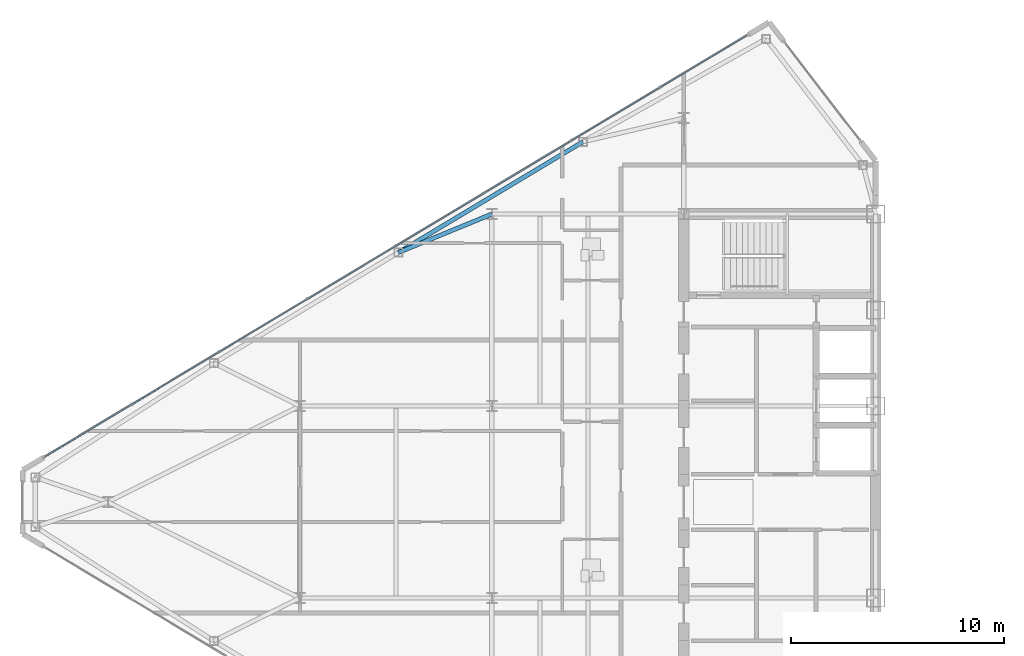
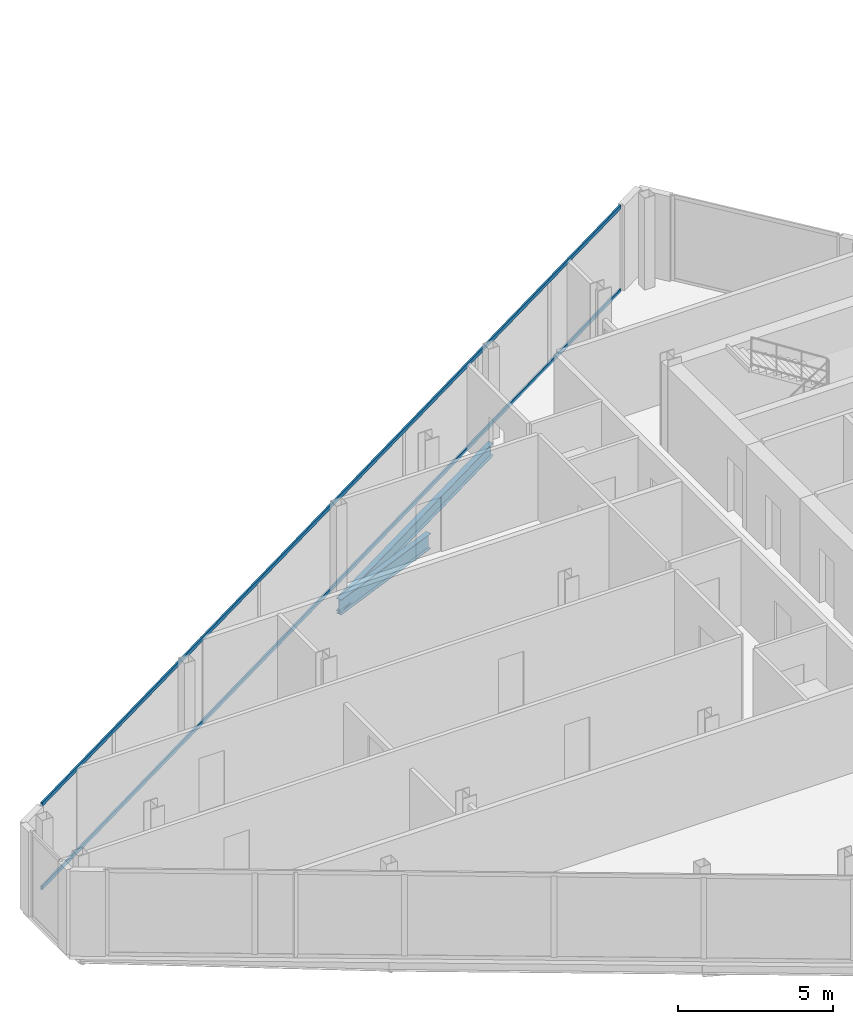
# One storey, part 9 of 26: 2 beams, 2 members, 1 element without a shape of its own.
"""IFC4 building model written with IfcOpenShell, lengths in metres."""

from ifc_helpers import new_model, si_unit, direction, frame, origin, origin_2d, place, context, subcontext, project, spatial, rectangle, i_section, extrude, source, transform, mapped, material, layer, layer_set, material_profile, profile_set, type_object, type_shapes, element, aggregate, save


model = new_model("IFC4")

# Units and contexts
model_context = context("Model", 3, precision=1e-05, world=origin(), true_north=direction((0.0, 1.0)))
body_context = subcontext(model_context, "Body", "Model", "MODEL_VIEW")
ifc_project = project(units=[si_unit("LENGTHUNIT", "METRE"), si_unit("AREAUNIT", "SQUARE_METRE"), si_unit("VOLUMEUNIT", "CUBIC_METRE"), si_unit("PLANEANGLEUNIT", "RADIAN"), si_unit("MASSUNIT", "GRAM", prefix="KILO")], contexts=[model_context])

# Site, building, storey
site_placement = place(None, origin())
site = spatial("IfcSite", under=ifc_project, at=site_placement, CompositionType="ELEMENT")
building_placement = place(site_placement, origin())
building = spatial("IfcBuilding", under=site, at=building_placement, Name="Seokmaru Belvedere", CompositionType="ELEMENT")
storey_placement = place(building_placement, frame((0.0, 0.0, 221.10009765625)))
storey = spatial("IfcBuildingStorey", under=building, at=storey_placement, Name="L59", CompositionType="ELEMENT", Elevation=221.10009765625)

# Beams
ifc_material_1 = material(Name="Steel SM355 (355 MPa)", Category="steel")
ifc_material_profile_1 = material_profile(ifc_material_1, i_section(OverallWidth=0.199951171875, OverallDepth=0.5, WebThickness=0.010009765625, FlangeThickness=0.01611328125, at=origin_2d()), Name="H-500x200x10x16")
ifc_profile_set_1 = profile_set([ifc_material_profile_1], Name="Steel SM355 (355 MPa)")
beam_type_1 = type_object("IfcBeamType", Name="Perimeter Spandrel Beam H-500", PredefinedType="SPANDREL", material=ifc_profile_set_1)
shared_shape_1 = source(origin(), body_context, "Body", "SweptSolid", [
    extrude(i_section(OverallWidth=0.199951171875, OverallDepth=0.5, WebThickness=0.010009765625, FlangeThickness=0.01611328125, at=origin_2d()), origin(), (0.0, 0.0, 1.0), 10.087646484375),
])
type_shapes(beam_type_1, [shared_shape_1])
beam_1_placement = place(storey_placement, frame((-41.229736328125, 16.888916015625, -0.47021484375), z_axis=(-0.857499332045, -0.514485078056, 0.0), x_axis=(0.514485078056, -0.857499332045, 0.0)))
element("IfcBeam", 1, at=beam_1_placement, inside=storey, type_object=beam_type_1, Name="L59 W Faceted Flank Spandrel N-2", PredefinedType="SPANDREL", context=body_context, shape_type="MappedRepresentation", body=[
    mapped(shared_shape_1, transform((0.0, 0.0, 0.0), scale=1.0)),
])
ifc_material_profile_2 = material_profile(ifc_material_1, i_section(OverallWidth=0.199951171875, OverallDepth=0.60009765625, WebThickness=0.010986328125, FlangeThickness=0.01708984375, at=origin_2d()), Name="H-600x200x11x17")
ifc_profile_set_2 = profile_set([ifc_material_profile_2], Name="Steel SM355 (355 MPa)")
beam_type_2 = type_object("IfcBeamType", Name="Primary Floor Girder H-600", PredefinedType="BEAM", material=ifc_profile_set_2)
shared_shape_2 = source(origin(), body_context, "Body", "SweptSolid", [
    extrude(i_section(OverallWidth=0.199951171875, OverallDepth=0.60009765625, WebThickness=0.010986328125, FlangeThickness=0.01708984375, at=origin_2d()), origin(), (0.0, 0.0, 1.0), 4.73583984375),
])
type_shapes(beam_type_2, [shared_shape_2])
beam_2_placement = place(storey_placement, frame((-49.8798828125, 11.698974609375, -0.52001953125), z_axis=(0.924860562953, 0.380306375301, 0.0), x_axis=(-0.380306375301, 0.924860562953, 0.0)))
element("IfcBeam", 2, at=beam_2_placement, inside=storey, type_object=beam_type_2, Name="L59 W Flank Radial Floor Girder N-2", PredefinedType="BEAM", context=body_context, shape_type="MappedRepresentation", body=[
    mapped(shared_shape_2, transform((0.0, 0.0, 0.0), scale=1.0)),
])

# Curtain wall, members
ifc_material_2 = material(Name="Bronze Triple Insulating Glass", Category="glass")
ifc_layer = layer(ifc_material_2, 0.179931640625)
ifc_layer_set = layer_set([ifc_layer], Name="Bronze Triple Insulating Glass")
curtain_wall_type = type_object("IfcCurtainWallType", Name="High-Rise Wind-Corner Curtain Wall System CW-5", PredefinedType="NOTDEFINED", material=ifc_layer_set)
curtain_wall_placement = place(storey_placement, origin())
curtain_wall = element("IfcCurtainWall", 3, at=curtain_wall_placement, inside=storey, type_object=curtain_wall_type, Name="L59 Curtain Wall WF3", PredefinedType="NOTDEFINED")
ifc_material_3 = material(Name="Anodised Bronze Aluminium", Category="aluminium")
ifc_material_profile_3 = material_profile(ifc_material_3, rectangle(XDim=0.06494140625, YDim=0.14990234375, at=origin_2d()), Name="CW-T-65x150")
ifc_profile_set_3 = profile_set([ifc_material_profile_3], Name="Anodised Bronze Aluminium")
member_type = type_object("IfcMemberType", Name="Bronze Unitised Transom 65x150", PredefinedType="USERDEFINED", material=ifc_profile_set_3)
shared_shape_3 = source(origin(), body_context, "Body", "SweptSolid", [
    extrude(rectangle(XDim=0.06494140625, YDim=0.14990234375, at=origin_2d()), origin(), (0.0, 0.0, 1.0), 38.386962890625),
])
type_shapes(member_type, [shared_shape_3])
member_1_placement = place(storey_placement, frame((-33.541748046875, 21.875, 0.032470703125), z_axis=(-0.85749180336, -0.514497626011, 0.0), x_axis=(0.514497626011, -0.85749180336, 0.0)))
member_1 = element("IfcMember", 4, at=member_1_placement, type_object=member_type, Name="CW:L59:WF3 Continuous Transom 1", ObjectType="TRANSOM", PredefinedType="USERDEFINED", context=body_context, shape_type="MappedRepresentation", body=[
    mapped(shared_shape_3, transform((0.0, 0.0, 0.0), scale=1.0)),
])
member_2_placement = place(storey_placement, frame((-33.541748046875, 21.875, 3.307373046875), z_axis=(-0.85749180336, -0.514497626011, 0.0), x_axis=(0.514497626011, -0.85749180336, 0.0)))
member_2 = element("IfcMember", 5, at=member_2_placement, type_object=member_type, Name="CW:L59:WF3 Continuous Transom 2", ObjectType="TRANSOM", PredefinedType="USERDEFINED", context=body_context, shape_type="MappedRepresentation", body=[
    mapped(shared_shape_3, transform((0.0, 0.0, 0.0), scale=1.0)),
])
aggregate(curtain_wall, [member_1, member_2])

save(model, "model.ifc")
